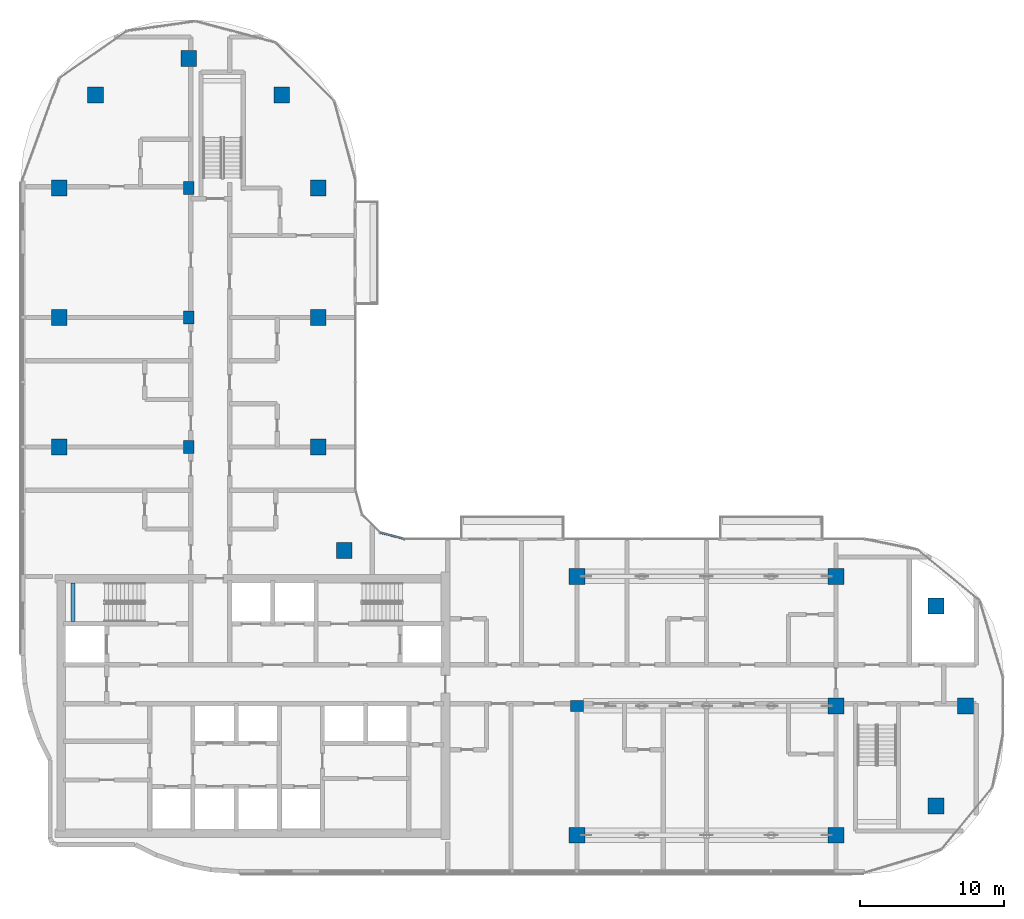
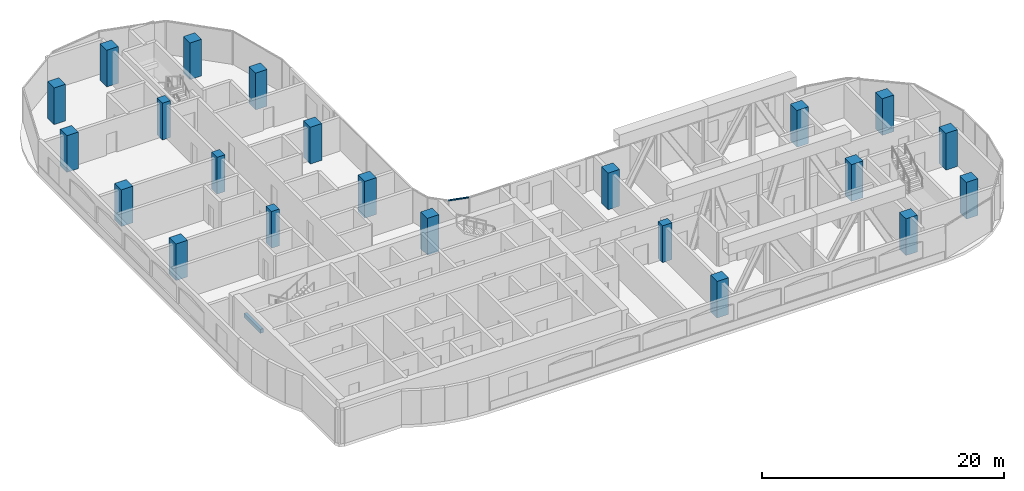
# One storey, part 1 of 25: 22 columns, 1 beam, 1 member, 1 element without a shape of its own.
"""IFC4 building model written with IfcOpenShell, lengths in metres."""

from ifc_helpers import new_model, si_unit, direction, frame, origin, origin_2d, place, context, subcontext, project, spatial, rectangle, extrude, material, material_profile, profile_set, type_object, element, aggregate, save


model = new_model("IFC4")

# Units and contexts
model_context = context("Model", 3, precision=1e-05, world=origin(), true_north=direction((0.0, 1.0)))
body_context = subcontext(model_context, "Body", "Model", "MODEL_VIEW")
ifc_project = project(units=[si_unit("LENGTHUNIT", "METRE"), si_unit("AREAUNIT", "SQUARE_METRE"), si_unit("VOLUMEUNIT", "CUBIC_METRE"), si_unit("PLANEANGLEUNIT", "RADIAN"), si_unit("MASSUNIT", "GRAM", prefix="KILO")], contexts=[model_context])

# Site, building, storey
site_placement = place(None, origin())
site = spatial("IfcSite", under=ifc_project, at=site_placement, CompositionType="ELEMENT")
building_placement = place(site_placement, origin())
building = spatial("IfcBuilding", under=site, at=building_placement, Name="Ogive Portal Towers", CompositionType="ELEMENT")
storey_placement = place(building_placement, frame((0.0, 0.0, 182.89990234375)))
storey = spatial("IfcBuildingStorey", under=building, at=storey_placement, Name="L45", CompositionType="ELEMENT", Elevation=182.89990234375)

# Columns
ifc_material_1 = material(Name="Concrete C60/75", Category="concrete")
ifc_material_profile_1 = material_profile(ifc_material_1, rectangle(XDim=1.10009765625, YDim=1.10009765625, at=origin_2d()), Name="RC 1100x1100")
ifc_profile_set_1 = profile_set([ifc_material_profile_1], Name="Concrete C60/75")
column_type_1 = type_object("IfcColumnType", Name="COLUMN RC 1100x1100", PredefinedType="COLUMN", material=ifc_profile_set_1)
for number, where, z_axis, x_axis, name in (
    (1, (67.5, 21.5, 0.0), (0.0, 0.0, 1.0), (1.0, 0.0, 0.0), "Column 5/A L45"),
    (2, (85.5, 21.5, 0.0), (0.0, 0.0, 1.0), (1.0, 0.0, 0.0), "Column 7/A L45"),
    (3, (92.449951171875, 23.550048828125, 0.0), (0.0, 0.0, 1.0), (1.0, 0.0, 0.0), "Column L45"),
    (4, (85.5, 30.5, 0.0), (0.0, 0.0, 1.0), (1.0, 0.0, 0.0), "Column 7/B L45"),
    (5, (94.5, 30.5, 0.0), (0.0, 0.0, 1.0), (1.0, 0.0, 0.0), "Column 8/B L45"),
    (6, (92.449951171875, 37.449951171875, 0.0), (0.0, 0.0, 1.0), (1.0, 0.0, 0.0), "Column L45"),
    (7, (67.5, 39.5, 0.0), (0.0, 0.0, 1.0), (1.0, 0.0, 0.0), "Column 5/C L45"),
    (8, (85.5, 39.5, 0.0), (0.0, 0.0, 1.0), (1.0, 0.0, 0.0), "Column 7/C L45"),
    (9, (51.31005859375, 41.31005859375, 0.0), (0.0, 0.0, 1.0), (1.0, 0.0, 0.0), "Column L45"),
    (10, (31.5, 48.5, 0.0), (0.0, 0.0, 1.0), (1.0, 0.0, 0.0), "Column 1/D L45"),
    (11, (49.5, 48.5, 0.0), (0.0, 0.0, 1.0), (1.0, 0.0, 0.0), "Column 3/D L45"),
    (12, (31.5, 57.5, 0.0), (0.0, 0.0, 1.0), (1.0, 0.0, 0.0), "Column 1/E L45"),
    (13, (49.5, 57.5, 0.0), (0.0, 0.0, 1.0), (1.0, 0.0, 0.0), "Column 3/E L45"),
    (14, (31.5, 66.5, 0.0), (0.0, 0.0, 1.0), (1.0, 0.0, 0.0), "Column 1/F L45"),
    (15, (49.5, 66.5, 0.0), (0.0, 0.0, 1.0), (1.0, 0.0, 0.0), "Column 3/F L45"),
    (16, (34.027099609375, 72.972900390625, 0.0), (0.0, 0.0, 1.0), (1.0, 0.0, 0.0), "Column L45"),
    (17, (46.972900390625, 72.972900390625, 0.0), (0.0, 0.0, 1.0), (1.0, 0.0, 0.0), "Column L45"),
    (18, (40.5, 75.5, 0.0), (0.0, 0.0, 1.0), (1.0, 0.0, 0.0), "Column 2/G L45"),
):
    element("IfcColumn", number, at=place(storey_placement, frame(where, z_axis=z_axis, x_axis=x_axis)), inside=storey, type_object=column_type_1, Name=name, PredefinedType="COLUMN", context=body_context, shape_type="SweptSolid", body=[
        extrude(rectangle(XDim=1.10009765625, YDim=1.10009765625, at=origin_2d()), origin(), (0.0, 0.0, 1.0), 3.7001953125),
    ])
ifc_material_profile_2 = material_profile(ifc_material_1, rectangle(XDim=0.89990234375, YDim=0.75, at=origin_2d()), Name="RC 900x750")
ifc_profile_set_2 = profile_set([ifc_material_profile_2], Name="Concrete C60/75")
column_type_2 = type_object("IfcColumnType", Name="COLUMN RC 900x750", PredefinedType="COLUMN", material=ifc_profile_set_2)
for number, where, z_axis, x_axis, name in (
    (19, (67.5, 30.5, 0.0), (0.0, 0.0, 1.0), (1.0, 0.0, 0.0), "Column 5/B L45"),
    (20, (40.5, 48.5, 0.0), (0.0, 0.0, 1.0), (0.0, 1.0, 0.0), "Column 2/D L45"),
    (21, (40.5, 57.5, 0.0), (0.0, 0.0, 1.0), (0.0, 1.0, 0.0), "Column 2/E L45"),
    (22, (40.5, 66.5, 0.0), (0.0, 0.0, 1.0), (0.0, 1.0, 0.0), "Column 2/F L45"),
):
    element("IfcColumn", number, at=place(storey_placement, frame(where, z_axis=z_axis, x_axis=x_axis)), inside=storey, type_object=column_type_2, Name=name, PredefinedType="COLUMN", context=body_context, shape_type="SweptSolid", body=[
        extrude(rectangle(XDim=0.89990234375, YDim=0.75, at=origin_2d()), origin(), (0.0, 0.0, 1.0), 3.7001953125),
    ])

# Beam
ifc_material_2 = material(Name="Concrete C40/50", Category="concrete")
ifc_material_profile_3 = material_profile(ifc_material_2, rectangle(XDim=0.300048828125, YDim=0.39990234375, at=origin_2d()), Name="RC 300x400")
ifc_profile_set_3 = profile_set([ifc_material_profile_3], Name="Concrete C40/50")
beam_type = type_object("IfcBeamType", Name="BEAM RC 300x400", PredefinedType="BEAM", material=ifc_profile_set_3)
beam_placement = place(storey_placement, frame((32.449951171875, 36.35009765625, 1.4501953125), z_axis=(0.0, 1.0, 0.0), x_axis=(-1.0, 0.0, 0.0)))
element("IfcBeam", 23, at=beam_placement, inside=storey, type_object=beam_type, Name="Landing beam L45", PredefinedType="BEAM", context=body_context, shape_type="SweptSolid", body=[
    extrude(rectangle(XDim=0.300048828125, YDim=0.39990234375, at=origin_2d()), origin(), (0.0, 0.0, 1.0), 2.699951171875),
])

# Curtain wall, member
ifc_material_3 = material(Name="Glass, clear low-iron insulated glazing", Category="glass")
curtain_wall_type = type_object("IfcCurtainWallType", Name="CW FRONT RIBBON 4500", PredefinedType="NOTDEFINED", material=ifc_material_3)
curtain_wall_placement = place(storey_placement, origin())
curtain_wall = element("IfcCurtainWall", 24, at=curtain_wall_placement, inside=storey, type_object=curtain_wall_type, Name="A:L45:f17:cwa", PredefinedType="NOTDEFINED")
ifc_material_4 = material(Name="Aluminium 6063 anodised", Category="aluminium")
ifc_material_profile_4 = material_profile(ifc_material_4, rectangle(XDim=0.1201171875, YDim=0.06005859375, at=origin_2d()), Name="AL 120x60")
ifc_profile_set_4 = profile_set([ifc_material_profile_4], Name="Aluminium 6063 anodised")
member_type = type_object("IfcMemberType", Name="CW TRANSOM 60x120", PredefinedType="USERDEFINED", material=ifc_profile_set_4)
member_placement = place(storey_placement, frame((55.489501953125, 42.10009765625, 3.3701171875), z_axis=(-0.965954275614, 0.258712847425, 0.0), x_axis=(-0.258712847425, -0.965954275614, 0.0)))
member = element("IfcMember", 25, at=member_placement, type_object=member_type, Name="transom", ObjectType="TRANSOM", PredefinedType="USERDEFINED", context=body_context, shape_type="SweptSolid", body=[
    extrude(rectangle(XDim=0.1201171875, YDim=0.06005859375, at=origin_2d()), origin(), (0.0, 0.0, 1.0), 1.75048828125),
])
aggregate(curtain_wall, [member])

save(model, "model.ifc")
